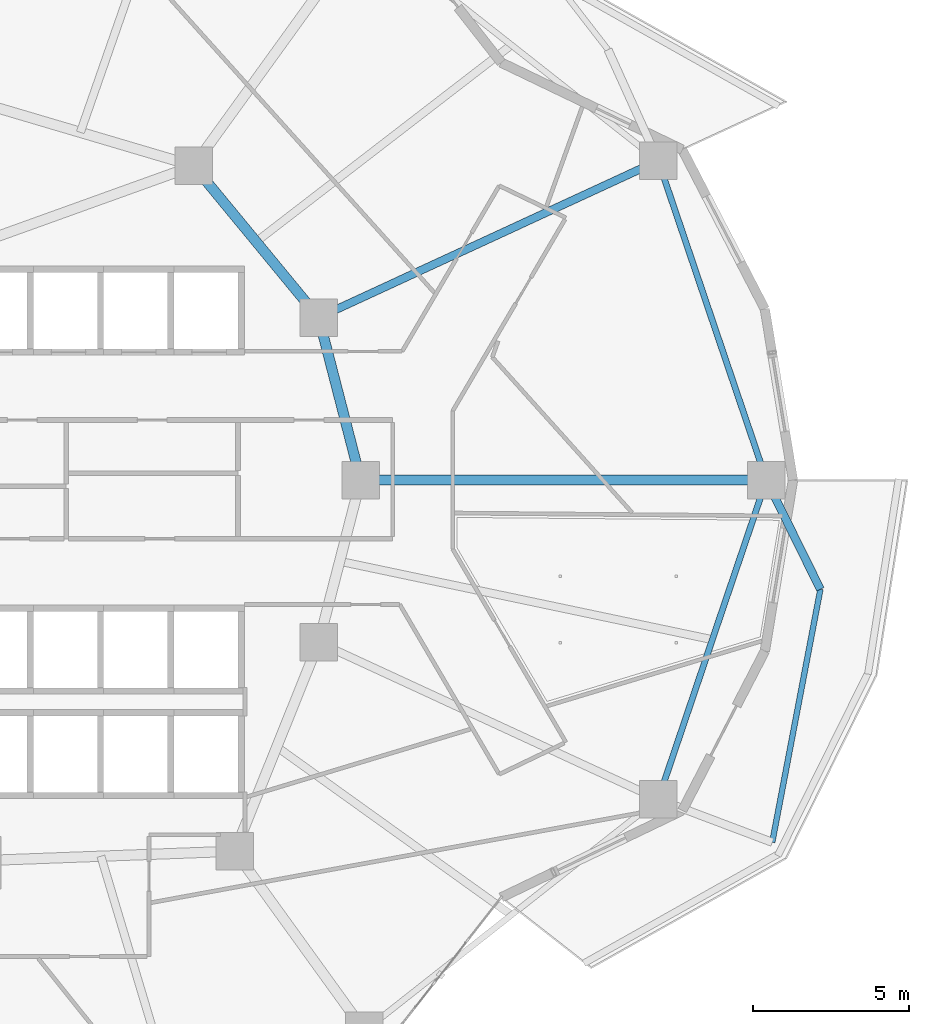
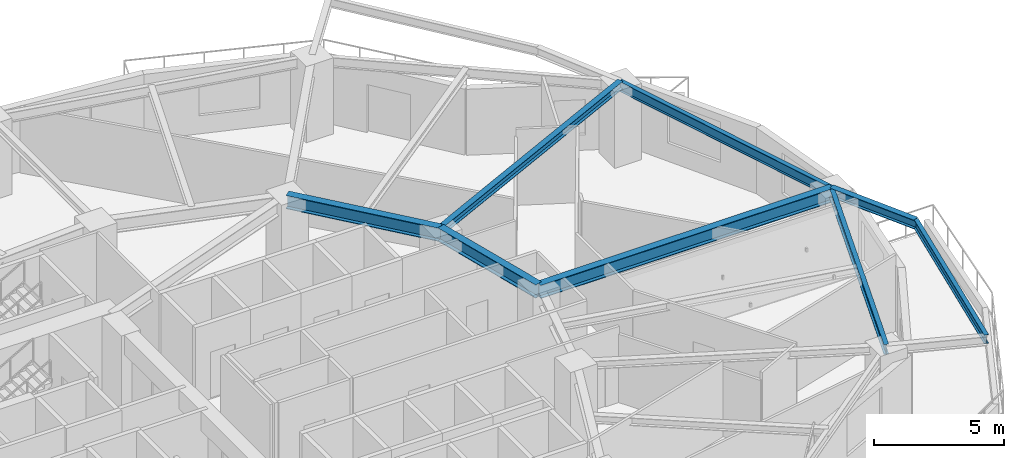
# One storey, part 5 of 18: 8 beams.
"""IFC4 building model written with IfcOpenShell, lengths in metres."""

from ifc_helpers import new_model, si_unit, direction, frame, origin, origin_2d, place, context, subcontext, project, spatial, i_section, extrude, material, material_profile, profile_set, type_object, element, save


model = new_model("IFC4")

# Units and contexts
model_context = context("Model", 3, precision=1e-05, world=origin(), true_north=direction((0.0, 1.0)))
body_context = subcontext(model_context, "Body", "Model", "MODEL_VIEW")
ifc_project = project(units=[si_unit("LENGTHUNIT", "METRE"), si_unit("AREAUNIT", "SQUARE_METRE"), si_unit("VOLUMEUNIT", "CUBIC_METRE"), si_unit("PLANEANGLEUNIT", "RADIAN"), si_unit("MASSUNIT", "GRAM", prefix="KILO")], contexts=[model_context])

# Site, building, storey
site_placement = place(None, origin())
site = spatial("IfcSite", under=ifc_project, at=site_placement, CompositionType="ELEMENT")
building_placement = place(site_placement, origin())
building = spatial("IfcBuilding", under=site, at=building_placement, Name="Kolvaren Gate Tower and Convention Centre", CompositionType="ELEMENT")
storey_placement = place(building_placement, frame((0.0, 0.0, 53.449951171875)))
storey = spatial("IfcBuildingStorey", under=building, at=storey_placement, Name="L12", CompositionType="ELEMENT", Elevation=53.449951171875)

# Beams
ifc_material = material(Name="Structural steel ASTM A992 Grade 345 MPa", Category="steel")
ifc_material_profile_1 = material_profile(ifc_material, i_section(OverallWidth=0.260009765625, OverallDepth=0.419921875, WebThickness=0.013427734375, FlangeThickness=0.0224609375, at=origin_2d()), Name="W410X132")
ifc_profile_set_1 = profile_set([ifc_material_profile_1], Name="Structural steel ASTM A992 Grade 345 MPa")
beam_type_1 = type_object("IfcBeamType", Name="STR-BM-W410X132", PredefinedType="BEAM", material=ifc_profile_set_1)
beam_1_placement = place(storey_placement, frame((55.71240234375, 27.0, 3.360595703125), z_axis=(0.442775963142, -0.896632280516, 0.0), x_axis=(0.896632280516, 0.442775963142, 0.0)))
element("IfcBeam", 1, at=beam_1_placement, inside=storey, type_object=beam_type_1, Name="Tower L13 Planted Balcony Outrigger Cantilever BC-4B", PredefinedType="BEAM", context=body_context, shape_type="SweptSolid", body=[
    extrude(i_section(OverallWidth=0.260009765625, OverallDepth=0.419921875, WebThickness=0.013427734375, FlangeThickness=0.0224609375, at=origin_2d()), origin(), (0.0, 0.0, 1.0), 3.89990234375),
])
ifc_material_profile_2 = material_profile(ifc_material, i_section(OverallWidth=0.327880859375, OverallDepth=0.6279296875, WebThickness=0.0166015625, FlangeThickness=0.027587890625, at=origin_2d()), Name="W610X217")
ifc_profile_set_2 = profile_set([ifc_material_profile_2], Name="Structural steel ASTM A992 Grade 345 MPa")
beam_type_2 = type_object("IfcBeamType", Name="STR-BM-W610X217", PredefinedType="BEAM", material=ifc_profile_set_2)
beam_2_placement = place(storey_placement, frame((41.382080078125, 32.199462890625, 3.256103515625), z_axis=(-0.635884066011, 0.771784590798, 0.0), x_axis=(-0.771784590798, -0.635884066011, 0.0)))
element("IfcBeam", 2, at=beam_2_placement, inside=storey, type_object=beam_type_2, Name="Tower L12 Primary Ring Girder G-02", PredefinedType="BEAM", context=body_context, shape_type="SweptSolid", body=[
    extrude(i_section(OverallWidth=0.327880859375, OverallDepth=0.6279296875, WebThickness=0.0166015625, FlangeThickness=0.027587890625, at=origin_2d()), origin(), (0.0, 0.0, 1.0), 6.291259765625),
])
beam_3_placement = place(storey_placement, frame((42.72509765625, 27.0, 3.256103515625), z_axis=(-0.250091133936, 0.968222301296, 0.0), x_axis=(-0.968222301296, -0.250091133936, 0.0)))
element("IfcBeam", 3, at=beam_3_placement, inside=storey, type_object=beam_type_2, Name="Tower L12 Primary Ring Girder G-12", PredefinedType="BEAM", context=body_context, shape_type="SweptSolid", body=[
    extrude(i_section(OverallWidth=0.327880859375, OverallDepth=0.6279296875, WebThickness=0.0166015625, FlangeThickness=0.027587890625, at=origin_2d()), origin(), (0.0, 0.0, 1.0), 5.3701171875),
])
beam_4_placement = place(storey_placement, frame((42.72509765625, 27.0, 3.256103515625), z_axis=(1.0, 0.0, 0.0), x_axis=(0.0, 1.0, 0.0)))
element("IfcBeam", 4, at=beam_4_placement, inside=storey, type_object=beam_type_2, Name="Tower L12 Radial Floor Girder RB-01", PredefinedType="BEAM", context=body_context, shape_type="SweptSolid", body=[
    extrude(i_section(OverallWidth=0.327880859375, OverallDepth=0.6279296875, WebThickness=0.0166015625, FlangeThickness=0.027587890625, at=origin_2d()), origin(), (0.0, 0.0, 1.0), 12.9873046875),
])
ifc_material_profile_3 = material_profile(ifc_material, i_section(OverallWidth=0.2548828125, OverallDepth=0.35693359375, WebThickness=0.010498046875, FlangeThickness=0.018310546875, at=origin_2d()), Name="W360X101")
ifc_profile_set_3 = profile_set([ifc_material_profile_3], Name="Structural steel ASTM A992 Grade 345 MPa")
beam_type_3 = type_object("IfcBeamType", Name="STR-JS-W360X101", PredefinedType="JOIST", material=ifc_profile_set_3)
beam_5_placement = place(storey_placement, frame((41.382080078125, 32.199462890625, 3.3916015625), z_axis=(0.907843538102, 0.419309086864, 0.0), x_axis=(-0.419309086864, 0.907843538102, 0.0)))
element("IfcBeam", 5, at=beam_5_placement, inside=storey, type_object=beam_type_3, Name="Tower L12 Radial Floor Girder RB-02", PredefinedType="JOIST", context=body_context, shape_type="SweptSolid", body=[
    extrude(i_section(OverallWidth=0.2548828125, OverallDepth=0.35693359375, WebThickness=0.010498046875, FlangeThickness=0.018310546875, at=origin_2d()), origin(), (0.0, 0.0, 1.0), 11.9697265625),
])
ifc_material_profile_4 = material_profile(ifc_material, i_section(OverallWidth=0.180908203125, OverallDepth=0.4169921875, WebThickness=0.010986328125, FlangeThickness=0.018310546875, at=origin_2d()), Name="W410X85")
ifc_profile_set_4 = profile_set([ifc_material_profile_4], Name="Structural steel ASTM A992 Grade 345 MPa")
beam_type_4 = type_object("IfcBeamType", Name="STR-SP-W410X85", PredefinedType="SPANDREL", material=ifc_profile_set_4)
beam_6_placement = place(storey_placement, frame((55.897705078125, 15.404541015625, 3.362060546875), z_axis=(0.186984188423, 0.982362923404, 0.0), x_axis=(-0.982362923404, 0.186984188423, 0.0)))
element("IfcBeam", 6, at=beam_6_placement, inside=storey, type_object=beam_type_4, Name="Tower L13 Planted Balcony Header Tie Beam BT-4", PredefinedType="SPANDREL", context=body_context, shape_type="SweptSolid", body=[
    extrude(i_section(OverallWidth=0.180908203125, OverallDepth=0.4169921875, WebThickness=0.010986328125, FlangeThickness=0.018310546875, at=origin_2d()), origin(), (0.0, 0.0, 1.0), 8.244140625),
])
ifc_material_profile_5 = material_profile(ifc_material, i_section(OverallWidth=0.194091796875, OverallDepth=0.468994140625, WebThickness=0.0126953125, FlangeThickness=0.0205078125, at=origin_2d()), Name="W460X106")
ifc_profile_set_5 = profile_set([ifc_material_profile_5], Name="Structural steel ASTM A992 Grade 345 MPa")
beam_type_5 = type_object("IfcBeamType", Name="STR-SP-W460X106", PredefinedType="SPANDREL", material=ifc_profile_set_5)
for number, where, z_axis, x_axis, name in (
    (7, (55.71240234375, 27.0, 3.33544921875), (-0.321016233787, 0.947073691771, 0.0), (-0.947073691771, -0.321016233787, 0.0), "Tower L12 Perimeter Spandrel Beam SP-01"),
    (8, (52.248779296875, 16.781494140625, 3.33544921875), (0.321016233787, 0.947073691771, 0.0), (-0.947073691771, 0.321016233787, 0.0), "Tower L12 Perimeter Spandrel Beam SP-12"),
):
    element("IfcBeam", number, at=place(storey_placement, frame(where, z_axis=z_axis, x_axis=x_axis)), inside=storey, type_object=beam_type_5, Name=name, PredefinedType="SPANDREL", context=body_context, shape_type="SweptSolid", body=[
        extrude(i_section(OverallWidth=0.194091796875, OverallDepth=0.468994140625, WebThickness=0.0126953125, FlangeThickness=0.0205078125, at=origin_2d()), origin(), (0.0, 0.0, 1.0), 10.78955078125),
    ])

save(model, "model.ifc")
